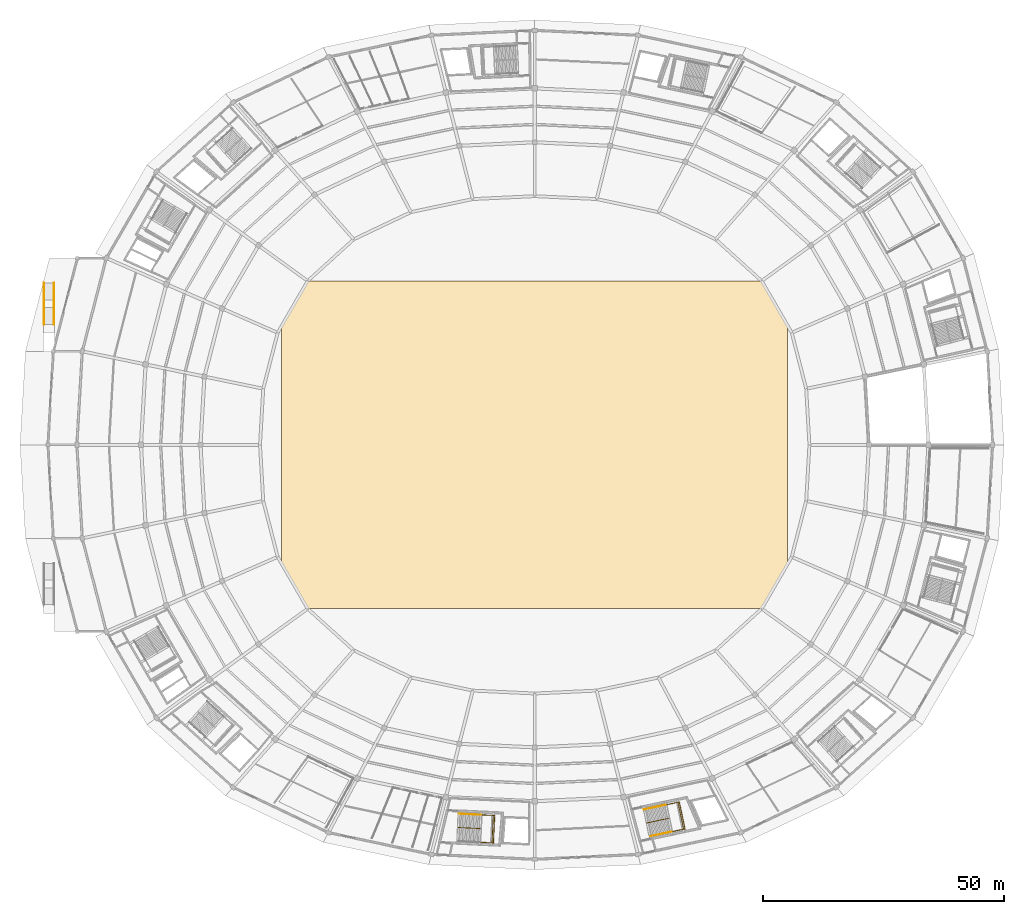
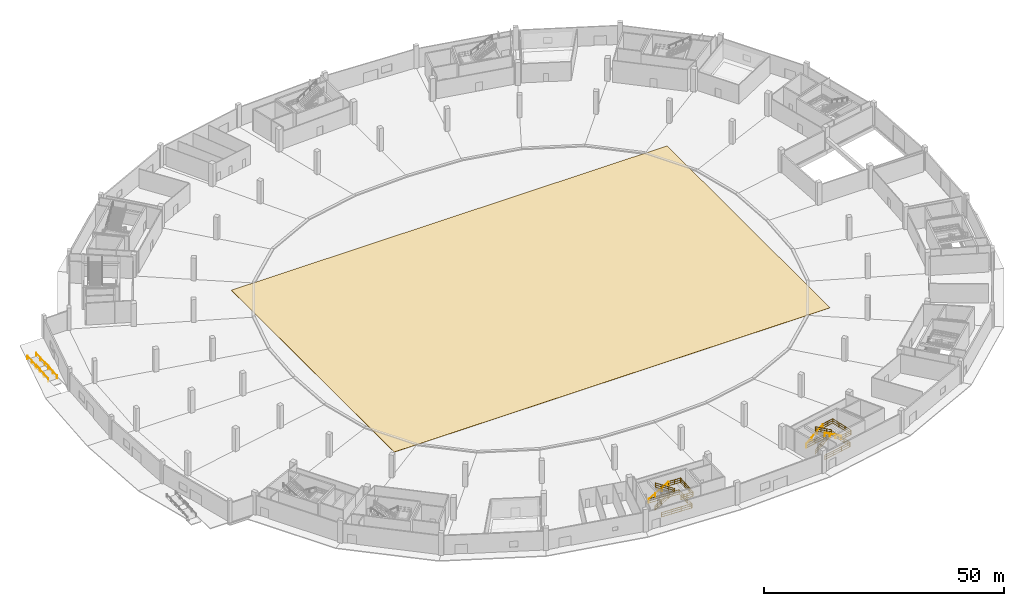
# One storey, part 44 of 48: 11 railings, 1 covering.
"""IFC4 building model written with IfcOpenShell, lengths in metres."""

from ifc_helpers import new_model, si_unit, direction, frame, origin, origin_2d, place, context, subcontext, project, spatial, polyline, rectangle, outline, extrude, material, layer, layer_set, type_object, element, save


model = new_model("IFC4")

# Units and contexts
model_context = context("Model", 3, precision=1e-05, world=origin(), true_north=direction((0.0, 1.0)))
body_context = subcontext(model_context, "Body", "Model", "MODEL_VIEW")
ifc_project = project(units=[si_unit("LENGTHUNIT", "METRE"), si_unit("AREAUNIT", "SQUARE_METRE"), si_unit("VOLUMEUNIT", "CUBIC_METRE"), si_unit("PLANEANGLEUNIT", "RADIAN"), si_unit("MASSUNIT", "GRAM", prefix="KILO")], contexts=[model_context])

# Site, building, storey
site_placement = place(None, origin())
site = spatial("IfcSite", under=ifc_project, at=site_placement, CompositionType="ELEMENT")
building_placement = place(site_placement, origin())
building = spatial("IfcBuilding", under=site, at=building_placement, Name="Kazemori Nagisa Stadium", CompositionType="ELEMENT")
storey_placement = place(building_placement, origin())
storey = spatial("IfcBuildingStorey", under=building, at=storey_placement, Name="L00", CompositionType="ELEMENT", Elevation=0.0)

# Covering
ifc_material_1 = material(Name="Natural hybrid turf", Category="turf")
ifc_layer = layer(ifc_material_1, 0.06005859375, Name="Natural hybrid turf", Category="turf")
ifc_layer_set = layer_set([ifc_layer], Name="Natural hybrid turf")
covering_type = type_object("IfcCoveringType", Name="Covering_TURF", PredefinedType="FLOORING", material=ifc_layer_set)
covering_placement = place(storey_placement, origin())
element("IfcCovering", 1, at=covering_placement, inside=storey, type_object=covering_type, Name="Hybrid turf football pitch surface", PredefinedType="FLOORING", context=body_context, shape_type="SweptSolid", body=[
    extrude(outline(polyline([(70.5, 68.0), (175.5, 68.0), (175.5, 136.0), (70.5, 136.0), (70.5, 68.0)])), origin(), (0.0, 0.0, 1.0), 0.06005859375),
])

# Railings
ifc_material_2 = material(Name="Galvanised powder-coated steel", Category="steel")
railing_type_1 = type_object("IfcRailingType", Name="Rail_GUARD", PredefinedType="GUARDRAIL", material=ifc_material_2)
railing_1_placement = place(storey_placement, frame((107.32470703125, 25.434814453125, 0.0)))
element("IfcRailing", 2, at=railing_1_placement, inside=storey, type_object=railing_type_1, Name="Stair well perimeter guard ST12-L00", PredefinedType="GUARDRAIL", context=body_context, shape_type="SweptSolid", body=[
    extrude(rectangle(XDim=0.050048828125, YDim=0.050048828125, at=origin_2d()), frame((0.0, 0.0, 1.09521484375), z_axis=(0.998884968272, -0.04721038191, 0.0), x_axis=(0.04721038191, 0.998884968272, 0.0)), (0.0, 0.0, 1.0), 7.094970703125),
    extrude(rectangle(XDim=0.03759765625, YDim=0.03759765625, at=origin_2d()), frame((0.0, 0.0, 0.58251953125), z_axis=(0.998884968272, -0.04721038191, 0.0), x_axis=(0.04721038191, 0.998884968272, 0.0)), (0.0, 0.0, 1.0), 7.094970703125),
    extrude(rectangle(XDim=0.03759765625, YDim=0.03759765625, at=origin_2d()), frame((0.0, 0.0, 0.02490234375), z_axis=(0.998884968272, -0.04721038191, 0.0), x_axis=(0.04721038191, 0.998884968272, 0.0)), (0.0, 0.0, 1.0), 7.094970703125),
    extrude(rectangle(XDim=0.050048828125, YDim=0.050048828125, at=origin_2d()), frame((7.087158203125, -0.3349609375, 1.09521484375), z_axis=(-0.047243616775, -0.998883396936, 0.0), x_axis=(0.998883396936, -0.047243616775, 0.0)), (0.0, 0.0, 1.0), 5.699951171875),
    extrude(rectangle(XDim=0.03759765625, YDim=0.03759765625, at=origin_2d()), frame((7.087158203125, -0.3349609375, 0.58251953125), z_axis=(-0.047243616775, -0.998883396936, 0.0), x_axis=(0.998883396936, -0.047243616775, 0.0)), (0.0, 0.0, 1.0), 5.699951171875),
    extrude(rectangle(XDim=0.03759765625, YDim=0.03759765625, at=origin_2d()), frame((7.087158203125, -0.3349609375, 0.02490234375), z_axis=(-0.047243616775, -0.998883396936, 0.0), x_axis=(0.998883396936, -0.047243616775, 0.0)), (0.0, 0.0, 1.0), 5.699951171875),
    extrude(rectangle(XDim=0.050048828125, YDim=0.050048828125, at=origin_2d()), frame((6.81787109375, -6.028564453125, 1.09521484375), z_axis=(-0.998884891575, 0.047212004659, 0.0), x_axis=(-0.047212004659, -0.998884891575, 0.0)), (0.0, 0.0, 1.0), 7.0947265625),
    extrude(rectangle(XDim=0.03759765625, YDim=0.03759765625, at=origin_2d()), frame((6.81787109375, -6.028564453125, 0.58251953125), z_axis=(-0.998884891575, 0.047212004659, 0.0), x_axis=(-0.047212004659, -0.998884891575, 0.0)), (0.0, 0.0, 1.0), 7.0947265625),
    extrude(rectangle(XDim=0.03759765625, YDim=0.03759765625, at=origin_2d()), frame((6.81787109375, -6.028564453125, 0.02490234375), z_axis=(-0.998884891575, 0.047212004659, 0.0), x_axis=(-0.047212004659, -0.998884891575, 0.0)), (0.0, 0.0, 1.0), 7.0947265625),
    extrude(rectangle(XDim=0.044921875, YDim=0.044921875, at=origin_2d()), origin(), (0.0, 0.0, 1.0), 1.070068359375),
    extrude(rectangle(XDim=0.044921875, YDim=0.044921875, at=origin_2d()), frame((2.3623046875, -0.111572265625, 0.0)), (0.0, 0.0, 1.0), 1.070068359375),
    extrude(rectangle(XDim=0.044921875, YDim=0.044921875, at=origin_2d()), frame((4.724853515625, -0.223388671875, 0.0)), (0.0, 0.0, 1.0), 1.070068359375),
    extrude(rectangle(XDim=0.044921875, YDim=0.044921875, at=origin_2d()), frame((7.087158203125, -0.3349609375, 0.0)), (0.0, 0.0, 1.0), 1.070068359375),
    extrude(rectangle(XDim=0.044921875, YDim=0.044921875, at=origin_2d()), frame((6.997314453125, -2.23291015625, 0.0)), (0.0, 0.0, 1.0), 1.070068359375),
    extrude(rectangle(XDim=0.044921875, YDim=0.044921875, at=origin_2d()), frame((6.90771484375, -4.130615234375, 0.0)), (0.0, 0.0, 1.0), 1.070068359375),
    extrude(rectangle(XDim=0.044921875, YDim=0.044921875, at=origin_2d()), frame((6.81787109375, -6.028564453125, 0.0)), (0.0, 0.0, 1.0), 1.070068359375),
    extrude(rectangle(XDim=0.044921875, YDim=0.044921875, at=origin_2d()), frame((4.45556640625, -5.9169921875, 0.0)), (0.0, 0.0, 1.0), 1.070068359375),
    extrude(rectangle(XDim=0.044921875, YDim=0.044921875, at=origin_2d()), frame((2.09326171875, -5.80517578125, 0.0)), (0.0, 0.0, 1.0), 1.070068359375),
    extrude(rectangle(XDim=0.044921875, YDim=0.044921875, at=origin_2d()), frame((-0.26904296875, -5.693603515625, 0.0)), (0.0, 0.0, 1.0), 1.070068359375),
])
railing_2_placement = place(storey_placement, frame((107.1103515625, 22.591796875, 0.0)))
element("IfcRailing", 3, at=railing_2_placement, inside=storey, type_object=railing_type_1, Name="Stair central guard ST12-L00", PredefinedType="GUARDRAIL", context=body_context, shape_type="SweptSolid", body=[
    extrude(rectangle(XDim=0.050048828125, YDim=0.050048828125, at=origin_2d()), frame((0.0, 0.0, 1.09521484375), z_axis=(0.846331615438, -0.040025862943, 0.531150380783), x_axis=(0.047240555602, 0.998883541714, 0.0)), (0.0, 0.0, 1.0), 5.44091796875),
    extrude(rectangle(XDim=0.03759765625, YDim=0.03759765625, at=origin_2d()), frame((0.0, 0.0, 0.58251953125), z_axis=(0.846331615438, -0.040025862943, 0.531150380783), x_axis=(0.047240555602, 0.998883541714, 0.0)), (0.0, 0.0, 1.0), 5.44091796875),
    extrude(rectangle(XDim=0.03759765625, YDim=0.03759765625, at=origin_2d()), frame((0.0, 0.0, 0.02490234375), z_axis=(0.846331615438, -0.040025862943, 0.531150380783), x_axis=(0.047240555602, 0.998883541714, 0.0)), (0.0, 0.0, 1.0), 5.44091796875),
    extrude(rectangle(XDim=0.050048828125, YDim=0.050048828125, at=origin_2d()), frame((4.604736328125, -0.2177734375, 3.98486328125), z_axis=(-0.842092272294, 0.039846494162, 0.537859518691), x_axis=(-0.047265556753, -0.998882359012, 0.0)), (0.0, 0.0, 1.0), 5.373291015625),
    extrude(rectangle(XDim=0.03759765625, YDim=0.03759765625, at=origin_2d()), frame((4.604736328125, -0.2177734375, 3.472412109375), z_axis=(-0.842092272294, 0.039846494162, 0.537859518691), x_axis=(-0.047265556753, -0.998882359012, 0.0)), (0.0, 0.0, 1.0), 5.373291015625),
    extrude(rectangle(XDim=0.03759765625, YDim=0.03759765625, at=origin_2d()), frame((4.604736328125, -0.2177734375, 2.9150390625), z_axis=(-0.842092272294, 0.039846494162, 0.537859518691), x_axis=(-0.047265556753, -0.998882359012, 0.0)), (0.0, 0.0, 1.0), 5.373291015625),
    extrude(rectangle(XDim=0.044921875, YDim=0.044921875, at=origin_2d()), origin(), (0.0, 0.0, 1.0), 1.070068359375),
    extrude(rectangle(XDim=0.044921875, YDim=0.044921875, at=origin_2d()), frame((1.534912109375, -0.072509765625, 0.96337890625)), (0.0, 0.0, 1.0), 1.070068359375),
    extrude(rectangle(XDim=0.044921875, YDim=0.044921875, at=origin_2d()), frame((3.06982421875, -0.145263671875, 1.926513671875)), (0.0, 0.0, 1.0), 1.070068359375),
    extrude(rectangle(XDim=0.044921875, YDim=0.044921875, at=origin_2d()), frame((4.604736328125, -0.2177734375, 2.889892578125)), (0.0, 0.0, 1.0), 1.070068359375),
    extrude(rectangle(XDim=0.044921875, YDim=0.044921875, at=origin_2d()), frame((3.096435546875, -0.146484375, 3.853271484375)), (0.0, 0.0, 1.0), 1.070068359375),
    extrude(rectangle(XDim=0.044921875, YDim=0.044921875, at=origin_2d()), frame((1.588134765625, -0.074951171875, 4.816650390625)), (0.0, 0.0, 1.0), 1.070068359375),
    extrude(rectangle(XDim=0.044921875, YDim=0.044921875, at=origin_2d()), frame((0.079833984375, -0.003662109375, 5.780029296875)), (0.0, 0.0, 1.0), 1.070068359375),
])
railing_3_placement = place(storey_placement, frame((111.849609375, 25.220947265625, 2.889892578125)))
element("IfcRailing", 4, at=railing_3_placement, inside=storey, type_object=railing_type_1, Name="Stair landing guard ST12-L00", PredefinedType="GUARDRAIL", context=body_context, shape_type="SweptSolid", body=[
    extrude(rectangle(XDim=0.050048828125, YDim=0.050048828125, at=origin_2d()), frame((0.0, 0.0, 1.09521484375), z_axis=(0.998885512722, -0.047198860948, 0.0), x_axis=(0.047198860948, 0.998885512722, 0.0)), (0.0, 0.0, 1.0), 2.85009765625),
    extrude(rectangle(XDim=0.03759765625, YDim=0.03759765625, at=origin_2d()), frame((0.0, 0.0, 0.58251953125), z_axis=(0.998885512722, -0.047198860948, 0.0), x_axis=(0.047198860948, 0.998885512722, 0.0)), (0.0, 0.0, 1.0), 2.85009765625),
    extrude(rectangle(XDim=0.03759765625, YDim=0.03759765625, at=origin_2d()), frame((0.0, 0.0, 0.02490234375), z_axis=(0.998885512722, -0.047198860948, 0.0), x_axis=(0.047198860948, 0.998885512722, 0.0)), (0.0, 0.0, 1.0), 2.85009765625),
    extrude(rectangle(XDim=0.050048828125, YDim=0.050048828125, at=origin_2d()), frame((2.846923828125, -0.134521484375, 1.09521484375), z_axis=(-0.047241595586, -0.998883492529, 0.0), x_axis=(0.998883492529, -0.047241595586, 0.0)), (0.0, 0.0, 1.0), 5.7001953125),
    extrude(rectangle(XDim=0.03759765625, YDim=0.03759765625, at=origin_2d()), frame((2.846923828125, -0.134521484375, 0.58251953125), z_axis=(-0.047241595586, -0.998883492529, 0.0), x_axis=(0.998883492529, -0.047241595586, 0.0)), (0.0, 0.0, 1.0), 5.7001953125),
    extrude(rectangle(XDim=0.03759765625, YDim=0.03759765625, at=origin_2d()), frame((2.846923828125, -0.134521484375, 0.02490234375), z_axis=(-0.047241595586, -0.998883492529, 0.0), x_axis=(0.998883492529, -0.047241595586, 0.0)), (0.0, 0.0, 1.0), 5.7001953125),
    extrude(rectangle(XDim=0.050048828125, YDim=0.050048828125, at=origin_2d()), frame((2.57763671875, -5.828369140625, 1.09521484375), z_axis=(-0.998881278972, 0.047288376157, 0.0), x_axis=(-0.047288376157, -0.998881278972, 0.0)), (0.0, 0.0, 1.0), 2.849853515625),
    extrude(rectangle(XDim=0.03759765625, YDim=0.03759765625, at=origin_2d()), frame((2.57763671875, -5.828369140625, 0.58251953125), z_axis=(-0.998881278972, 0.047288376157, 0.0), x_axis=(-0.047288376157, -0.998881278972, 0.0)), (0.0, 0.0, 1.0), 2.849853515625),
    extrude(rectangle(XDim=0.03759765625, YDim=0.03759765625, at=origin_2d()), frame((2.57763671875, -5.828369140625, 0.02490234375), z_axis=(-0.998881278972, 0.047288376157, 0.0), x_axis=(-0.047288376157, -0.998881278972, 0.0)), (0.0, 0.0, 1.0), 2.849853515625),
    extrude(rectangle(XDim=0.044921875, YDim=0.044921875, at=origin_2d()), origin(), (0.0, 0.0, 1.0), 1.070068359375),
    extrude(rectangle(XDim=0.044921875, YDim=0.044921875, at=origin_2d()), frame((1.42333984375, -0.0673828125, 0.0)), (0.0, 0.0, 1.0), 1.070068359375),
    extrude(rectangle(XDim=0.044921875, YDim=0.044921875, at=origin_2d()), frame((2.846923828125, -0.134521484375, 0.0)), (0.0, 0.0, 1.0), 1.070068359375),
    extrude(rectangle(XDim=0.044921875, YDim=0.044921875, at=origin_2d()), frame((2.757080078125, -2.032470703125, 0.0)), (0.0, 0.0, 1.0), 1.070068359375),
    extrude(rectangle(XDim=0.044921875, YDim=0.044921875, at=origin_2d()), frame((2.66748046875, -3.930419921875, 0.0)), (0.0, 0.0, 1.0), 1.070068359375),
    extrude(rectangle(XDim=0.044921875, YDim=0.044921875, at=origin_2d()), frame((2.57763671875, -5.828369140625, 0.0)), (0.0, 0.0, 1.0), 1.070068359375),
    extrude(rectangle(XDim=0.044921875, YDim=0.044921875, at=origin_2d()), frame((1.154296875, -5.760986328125, 0.0)), (0.0, 0.0, 1.0), 1.070068359375),
    extrude(rectangle(XDim=0.044921875, YDim=0.044921875, at=origin_2d()), frame((-0.26904296875, -5.693603515625, 0.0)), (0.0, 0.0, 1.0), 1.070068359375),
])
railing_4_placement = place(storey_placement, frame((145.77685546875, 26.353271484375, 0.0)))
element("IfcRailing", 5, at=railing_4_placement, inside=storey, type_object=railing_type_1, Name="Stair well perimeter guard ST06-L00", PredefinedType="GUARDRAIL", context=body_context, shape_type="SweptSolid", body=[
    extrude(rectangle(XDim=0.050048828125, YDim=0.050048828125, at=origin_2d()), frame((0.0, 0.0, 1.09521484375), z_axis=(0.978345951351, 0.206976325879, 0.0), x_axis=(-0.206976325879, 0.978345951351, 0.0)), (0.0, 0.0, 1.0), 7.094970703125),
    extrude(rectangle(XDim=0.03759765625, YDim=0.03759765625, at=origin_2d()), frame((0.0, 0.0, 0.58251953125), z_axis=(0.978345951351, 0.206976325879, 0.0), x_axis=(-0.206976325879, 0.978345951351, 0.0)), (0.0, 0.0, 1.0), 7.094970703125),
    extrude(rectangle(XDim=0.03759765625, YDim=0.03759765625, at=origin_2d()), frame((0.0, 0.0, 0.02490234375), z_axis=(0.978345951351, 0.206976325879, 0.0), x_axis=(-0.206976325879, 0.978345951351, 0.0)), (0.0, 0.0, 1.0), 7.094970703125),
    extrude(rectangle(XDim=0.050048828125, YDim=0.050048828125, at=origin_2d()), frame((6.94140625, 1.468505859375, 1.09521484375), z_axis=(0.206960167837, -0.978349369565, 0.0), x_axis=(0.978349369565, 0.206960167837, 0.0)), (0.0, 0.0, 1.0), 5.699951171875),
    extrude(rectangle(XDim=0.03759765625, YDim=0.03759765625, at=origin_2d()), frame((6.94140625, 1.468505859375, 0.58251953125), z_axis=(0.206960167837, -0.978349369565, 0.0), x_axis=(0.978349369565, 0.206960167837, 0.0)), (0.0, 0.0, 1.0), 5.699951171875),
    extrude(rectangle(XDim=0.03759765625, YDim=0.03759765625, at=origin_2d()), frame((6.94140625, 1.468505859375, 0.02490234375), z_axis=(0.206960167837, -0.978349369565, 0.0), x_axis=(0.978349369565, 0.206960167837, 0.0)), (0.0, 0.0, 1.0), 5.699951171875),
    extrude(rectangle(XDim=0.050048828125, YDim=0.050048828125, at=origin_2d()), frame((8.12109375, -4.108154296875, 1.09521484375), z_axis=(-0.978344477179, -0.206983293948, 0.0), x_axis=(0.206983293948, -0.978344477179, 0.0)), (0.0, 0.0, 1.0), 7.0947265625),
    extrude(rectangle(XDim=0.03759765625, YDim=0.03759765625, at=origin_2d()), frame((8.12109375, -4.108154296875, 0.58251953125), z_axis=(-0.978344477179, -0.206983293948, 0.0), x_axis=(0.206983293948, -0.978344477179, 0.0)), (0.0, 0.0, 1.0), 7.0947265625),
    extrude(rectangle(XDim=0.03759765625, YDim=0.03759765625, at=origin_2d()), frame((8.12109375, -4.108154296875, 0.02490234375), z_axis=(-0.978344477179, -0.206983293948, 0.0), x_axis=(0.206983293948, -0.978344477179, 0.0)), (0.0, 0.0, 1.0), 7.0947265625),
    extrude(rectangle(XDim=0.044921875, YDim=0.044921875, at=origin_2d()), origin(), (0.0, 0.0, 1.0), 1.070068359375),
    extrude(rectangle(XDim=0.044921875, YDim=0.044921875, at=origin_2d()), frame((2.313720703125, 0.489501953125, 0.0)), (0.0, 0.0, 1.0), 1.070068359375),
    extrude(rectangle(XDim=0.044921875, YDim=0.044921875, at=origin_2d()), frame((4.627685546875, 0.97900390625, 0.0)), (0.0, 0.0, 1.0), 1.070068359375),
    extrude(rectangle(XDim=0.044921875, YDim=0.044921875, at=origin_2d()), frame((6.94140625, 1.468505859375, 0.0)), (0.0, 0.0, 1.0), 1.070068359375),
    extrude(rectangle(XDim=0.044921875, YDim=0.044921875, at=origin_2d()), frame((7.334716796875, -0.390380859375, 0.0)), (0.0, 0.0, 1.0), 1.070068359375),
    extrude(rectangle(XDim=0.044921875, YDim=0.044921875, at=origin_2d()), frame((7.727783203125, -2.249267578125, 0.0)), (0.0, 0.0, 1.0), 1.070068359375),
    extrude(rectangle(XDim=0.044921875, YDim=0.044921875, at=origin_2d()), frame((8.12109375, -4.108154296875, 0.0)), (0.0, 0.0, 1.0), 1.070068359375),
    extrude(rectangle(XDim=0.044921875, YDim=0.044921875, at=origin_2d()), frame((5.807373046875, -4.59765625, 0.0)), (0.0, 0.0, 1.0), 1.070068359375),
    extrude(rectangle(XDim=0.044921875, YDim=0.044921875, at=origin_2d()), frame((3.49365234375, -5.087158203125, 0.0)), (0.0, 0.0, 1.0), 1.070068359375),
    extrude(rectangle(XDim=0.044921875, YDim=0.044921875, at=origin_2d()), frame((1.179931640625, -5.57666015625, 0.0)), (0.0, 0.0, 1.0), 1.070068359375),
])
railing_5_placement = place(storey_placement, frame((146.28857421875, 23.54833984375, 0.0)))
element("IfcRailing", 6, at=railing_5_placement, inside=storey, type_object=railing_type_1, Name="Stair central guard ST06-L00", PredefinedType="GUARDRAIL", context=body_context, shape_type="SweptSolid", body=[
    extrude(rectangle(XDim=0.050048828125, YDim=0.050048828125, at=origin_2d()), frame((0.0, 0.0, 1.09521484375), z_axis=(0.828928599666, 0.175361498809, 0.531155082242), x_axis=(-0.206971264153, 0.978347022183, 0.0)), (0.0, 0.0, 1.0), 5.440673828125),
    extrude(rectangle(XDim=0.03759765625, YDim=0.03759765625, at=origin_2d()), frame((0.0, 0.0, 0.58251953125), z_axis=(0.828928599666, 0.175361498809, 0.531155082242), x_axis=(-0.206971264153, 0.978347022183, 0.0)), (0.0, 0.0, 1.0), 5.440673828125),
    extrude(rectangle(XDim=0.03759765625, YDim=0.03759765625, at=origin_2d()), frame((0.0, 0.0, 0.02490234375), z_axis=(0.828928599666, 0.175361498809, 0.531155082242), x_axis=(-0.206971264153, 0.978347022183, 0.0)), (0.0, 0.0, 1.0), 5.440673828125),
    extrude(rectangle(XDim=0.050048828125, YDim=0.050048828125, at=origin_2d()), frame((4.510009765625, 0.9541015625, 3.98486328125), z_axis=(-0.824782623937, -0.174470626118, 0.537860227079), x_axis=(0.206955614912, -0.978350332681, 0.0)), (0.0, 0.0, 1.0), 5.373291015625),
    extrude(rectangle(XDim=0.03759765625, YDim=0.03759765625, at=origin_2d()), frame((4.510009765625, 0.9541015625, 3.472412109375), z_axis=(-0.824782623937, -0.174470626118, 0.537860227079), x_axis=(0.206955614912, -0.978350332681, 0.0)), (0.0, 0.0, 1.0), 5.373291015625),
    extrude(rectangle(XDim=0.03759765625, YDim=0.03759765625, at=origin_2d()), frame((4.510009765625, 0.9541015625, 2.9150390625), z_axis=(-0.824782623937, -0.174470626118, 0.537860227079), x_axis=(0.206955614912, -0.978350332681, 0.0)), (0.0, 0.0, 1.0), 5.373291015625),
    extrude(rectangle(XDim=0.044921875, YDim=0.044921875, at=origin_2d()), origin(), (0.0, 0.0, 1.0), 1.070068359375),
    extrude(rectangle(XDim=0.044921875, YDim=0.044921875, at=origin_2d()), frame((1.50341796875, 0.318115234375, 0.96337890625)), (0.0, 0.0, 1.0), 1.070068359375),
    extrude(rectangle(XDim=0.044921875, YDim=0.044921875, at=origin_2d()), frame((3.006591796875, 0.635986328125, 1.926513671875)), (0.0, 0.0, 1.0), 1.070068359375),
    extrude(rectangle(XDim=0.044921875, YDim=0.044921875, at=origin_2d()), frame((4.510009765625, 0.9541015625, 2.889892578125)), (0.0, 0.0, 1.0), 1.070068359375),
    extrude(rectangle(XDim=0.044921875, YDim=0.044921875, at=origin_2d()), frame((3.03271484375, 0.6416015625, 3.853271484375)), (0.0, 0.0, 1.0), 1.070068359375),
    extrude(rectangle(XDim=0.044921875, YDim=0.044921875, at=origin_2d()), frame((1.555419921875, 0.3291015625, 4.816650390625)), (0.0, 0.0, 1.0), 1.070068359375),
    extrude(rectangle(XDim=0.044921875, YDim=0.044921875, at=origin_2d()), frame((0.078125, 0.0166015625, 5.780029296875)), (0.0, 0.0, 1.0), 1.070068359375),
])
railing_6_placement = place(storey_placement, frame((150.208740234375, 27.290771484375, 2.889892578125)))
element("IfcRailing", 7, at=railing_6_placement, inside=storey, type_object=railing_type_1, Name="Stair landing guard ST06-L00", PredefinedType="GUARDRAIL", context=body_context, shape_type="SweptSolid", body=[
    extrude(rectangle(XDim=0.050048828125, YDim=0.050048828125, at=origin_2d()), frame((0.0, 0.0, 1.09521484375), z_axis=(0.978349369565, 0.206960167837, 0.0), x_axis=(-0.206960167837, 0.978349369565, 0.0)), (0.0, 0.0, 1.0), 2.85009765625),
    extrude(rectangle(XDim=0.03759765625, YDim=0.03759765625, at=origin_2d()), frame((0.0, 0.0, 0.58251953125), z_axis=(0.978349369565, 0.206960167837, 0.0), x_axis=(-0.206960167837, 0.978349369565, 0.0)), (0.0, 0.0, 1.0), 2.85009765625),
    extrude(rectangle(XDim=0.03759765625, YDim=0.03759765625, at=origin_2d()), frame((0.0, 0.0, 0.02490234375), z_axis=(0.978349369565, 0.206960167837, 0.0), x_axis=(-0.206960167837, 0.978349369565, 0.0)), (0.0, 0.0, 1.0), 2.85009765625),
    extrude(rectangle(XDim=0.050048828125, YDim=0.050048828125, at=origin_2d()), frame((2.788330078125, 0.58984375, 1.09521484375), z_axis=(0.207009838232, -0.978338860966, 0.0), x_axis=(0.978338860966, 0.207009838232, 0.0)), (0.0, 0.0, 1.0), 5.699951171875),
    extrude(rectangle(XDim=0.03759765625, YDim=0.03759765625, at=origin_2d()), frame((2.788330078125, 0.58984375, 0.58251953125), z_axis=(0.207009838232, -0.978338860966, 0.0), x_axis=(0.978338860966, 0.207009838232, 0.0)), (0.0, 0.0, 1.0), 5.699951171875),
    extrude(rectangle(XDim=0.03759765625, YDim=0.03759765625, at=origin_2d()), frame((2.788330078125, 0.58984375, 0.02490234375), z_axis=(0.207009838232, -0.978338860966, 0.0), x_axis=(0.978338860966, 0.207009838232, 0.0)), (0.0, 0.0, 1.0), 5.699951171875),
    extrude(rectangle(XDim=0.050048828125, YDim=0.050048828125, at=origin_2d()), frame((3.96826171875, -4.986572265625, 1.09521484375), z_axis=(-0.978332021586, -0.207042158845, 0.0), x_axis=(0.207042158845, -0.978332021586, 0.0)), (0.0, 0.0, 1.0), 2.85009765625),
    extrude(rectangle(XDim=0.03759765625, YDim=0.03759765625, at=origin_2d()), frame((3.96826171875, -4.986572265625, 0.58251953125), z_axis=(-0.978332021586, -0.207042158845, 0.0), x_axis=(0.207042158845, -0.978332021586, 0.0)), (0.0, 0.0, 1.0), 2.85009765625),
    extrude(rectangle(XDim=0.03759765625, YDim=0.03759765625, at=origin_2d()), frame((3.96826171875, -4.986572265625, 0.02490234375), z_axis=(-0.978332021586, -0.207042158845, 0.0), x_axis=(0.207042158845, -0.978332021586, 0.0)), (0.0, 0.0, 1.0), 2.85009765625),
    extrude(rectangle(XDim=0.044921875, YDim=0.044921875, at=origin_2d()), origin(), (0.0, 0.0, 1.0), 1.070068359375),
    extrude(rectangle(XDim=0.044921875, YDim=0.044921875, at=origin_2d()), frame((1.39404296875, 0.294921875, 0.0)), (0.0, 0.0, 1.0), 1.070068359375),
    extrude(rectangle(XDim=0.044921875, YDim=0.044921875, at=origin_2d()), frame((2.788330078125, 0.58984375, 0.0)), (0.0, 0.0, 1.0), 1.070068359375),
    extrude(rectangle(XDim=0.044921875, YDim=0.044921875, at=origin_2d()), frame((3.181640625, -1.26904296875, 0.0)), (0.0, 0.0, 1.0), 1.070068359375),
    extrude(rectangle(XDim=0.044921875, YDim=0.044921875, at=origin_2d()), frame((3.574951171875, -3.127685546875, 0.0)), (0.0, 0.0, 1.0), 1.070068359375),
    extrude(rectangle(XDim=0.044921875, YDim=0.044921875, at=origin_2d()), frame((3.96826171875, -4.986572265625, 0.0)), (0.0, 0.0, 1.0), 1.070068359375),
    extrude(rectangle(XDim=0.044921875, YDim=0.044921875, at=origin_2d()), frame((2.57421875, -5.28173828125, 0.0)), (0.0, 0.0, 1.0), 1.070068359375),
    extrude(rectangle(XDim=0.044921875, YDim=0.044921875, at=origin_2d()), frame((1.179931640625, -5.57666015625, 0.0)), (0.0, 0.0, 1.0), 1.070068359375),
])
ifc_material_3 = material(Name="Stainless steel SUS304", Category="steel")
railing_type_2 = type_object("IfcRailingType", Name="Rail_HAND", PredefinedType="HANDRAIL", material=ifc_material_3)
railing_7_placement = place(storey_placement, frame((107.244873046875, 25.438720703125, 0.169921875)))
element("IfcRailing", 8, at=railing_7_placement, inside=storey, type_object=railing_type_2, Name="Stair handrail ST12-L00-F1", PredefinedType="HANDRAIL", context=body_context, shape_type="SweptSolid", body=[
    extrude(rectangle(XDim=0.050048828125, YDim=0.050048828125, at=origin_2d()), frame((0.0, 0.0, 0.875), z_axis=(0.846311444006, -0.040024908968, 0.531182592341), x_axis=(0.047240555602, 0.998883541714, 0.0)), (0.0, 0.0, 1.0), 5.44091796875),
    extrude(rectangle(XDim=0.044921875, YDim=0.044921875, at=origin_2d()), origin(), (0.0, 0.0, 1.0), 0.849853515625),
    extrude(rectangle(XDim=0.044921875, YDim=0.044921875, at=origin_2d()), frame((1.534912109375, -0.072509765625, 0.96337890625)), (0.0, 0.0, 1.0), 0.849853515625),
    extrude(rectangle(XDim=0.044921875, YDim=0.044921875, at=origin_2d()), frame((3.06982421875, -0.145263671875, 1.9267578125)), (0.0, 0.0, 1.0), 0.849853515625),
    extrude(rectangle(XDim=0.044921875, YDim=0.044921875, at=origin_2d()), frame((4.604736328125, -0.2177734375, 2.89013671875)), (0.0, 0.0, 1.0), 0.849853515625),
])
railing_8_placement = place(storey_placement, frame((145.69873046875, 26.336669921875, 0.169921875)))
element("IfcRailing", 9, at=railing_8_placement, inside=storey, type_object=railing_type_2, Name="Stair handrail ST06-L00-F1", PredefinedType="HANDRAIL", context=body_context, shape_type="SweptSolid", body=[
    extrude(rectangle(XDim=0.050048828125, YDim=0.050048828125, at=origin_2d()), frame((0.0, 0.0, 0.875), z_axis=(0.828908842667, 0.175357319176, 0.531187293861), x_axis=(-0.206971264153, 0.978347022183, 0.0)), (0.0, 0.0, 1.0), 5.44091796875),
    extrude(rectangle(XDim=0.044921875, YDim=0.044921875, at=origin_2d()), origin(), (0.0, 0.0, 1.0), 0.849853515625),
    extrude(rectangle(XDim=0.044921875, YDim=0.044921875, at=origin_2d()), frame((1.50341796875, 0.318115234375, 0.96337890625)), (0.0, 0.0, 1.0), 0.849853515625),
    extrude(rectangle(XDim=0.044921875, YDim=0.044921875, at=origin_2d()), frame((3.006591796875, 0.635986328125, 1.9267578125)), (0.0, 0.0, 1.0), 0.849853515625),
    extrude(rectangle(XDim=0.044921875, YDim=0.044921875, at=origin_2d()), frame((4.510009765625, 0.9541015625, 2.89013671875)), (0.0, 0.0, 1.0), 0.849853515625),
])
railing_9_placement = place(storey_placement, frame((151.388671875, 21.714111328125, 3.06005859375)))
element("IfcRailing", 10, at=railing_9_placement, inside=storey, type_object=railing_type_2, Name="Stair handrail ST06-L00-F2", PredefinedType="HANDRAIL", context=body_context, shape_type="SweptSolid", body=[
    extrude(rectangle(XDim=0.050048828125, YDim=0.050048828125, at=origin_2d()), frame((0.0, 0.0, 0.875), z_axis=(-0.824802779624, -0.174474889757, 0.537827934909), x_axis=(0.206955614912, -0.978350332681, 0.0)), (0.0, 0.0, 1.0), 5.373291015625),
    extrude(rectangle(XDim=0.044921875, YDim=0.044921875, at=origin_2d()), origin(), (0.0, 0.0, 1.0), 0.849853515625),
    extrude(rectangle(XDim=0.044921875, YDim=0.044921875, at=origin_2d()), frame((-1.477294921875, -0.3125, 0.96337890625)), (0.0, 0.0, 1.0), 0.849853515625),
    extrude(rectangle(XDim=0.044921875, YDim=0.044921875, at=origin_2d()), frame((-2.95458984375, -0.625, 1.926513671875)), (0.0, 0.0, 1.0), 0.849853515625),
    extrude(rectangle(XDim=0.044921875, YDim=0.044921875, at=origin_2d()), frame((-4.431884765625, -0.9375, 2.889892578125)), (0.0, 0.0, 1.0), 0.849853515625),
])
for number, where, name in (
    (11, (21.167236328125, 126.9736328125, -0.5), "Boulevard ramp handrail RP1-W"),
    (12, (23.26708984375, 126.9736328125, -0.5), "Boulevard ramp handrail RP1-E"),
):
    element("IfcRailing", number, at=place(storey_placement, frame(where)), inside=storey, type_object=railing_type_2, Name=name, PredefinedType="HANDRAIL", context=body_context, shape_type="SweptSolid", body=[
        extrude(rectangle(XDim=0.050048828125, YDim=0.050048828125, at=origin_2d()), frame((0.0, 0.0, 0.875), z_axis=(0.0, 0.997458699831, 0.071247049988), x_axis=(-1.0, 0.0, 0.0)), (0.0, 0.0, 1.0), 3.509033203125),
        extrude(rectangle(XDim=0.050048828125, YDim=0.050048828125, at=origin_2d()), frame((0.0, 3.5, 1.125), z_axis=(0.0, 1.0, 0.0), x_axis=(-1.0, 0.0, 0.0)), (0.0, 0.0, 1.0), 1.60009765625),
        extrude(rectangle(XDim=0.050048828125, YDim=0.050048828125, at=origin_2d()), frame((0.0, 5.10009765625, 1.125), z_axis=(0.0, 0.997458699831, 0.071247049988), x_axis=(-1.0, 0.0, 0.0)), (0.0, 0.0, 1.0), 3.509033203125),
        extrude(rectangle(XDim=0.044921875, YDim=0.044921875, at=origin_2d()), origin(), (0.0, 0.0, 1.0), 0.849853515625),
        extrude(rectangle(XDim=0.044921875, YDim=0.044921875, at=origin_2d()), frame((0.0, 1.75, 0.125)), (0.0, 0.0, 1.0), 0.849853515625),
        extrude(rectangle(XDim=0.044921875, YDim=0.044921875, at=origin_2d()), frame((0.0, 3.5, 0.25)), (0.0, 0.0, 1.0), 0.849853515625),
        extrude(rectangle(XDim=0.044921875, YDim=0.044921875, at=origin_2d()), frame((0.0, 5.10009765625, 0.25)), (0.0, 0.0, 1.0), 0.849853515625),
        extrude(rectangle(XDim=0.044921875, YDim=0.044921875, at=origin_2d()), frame((0.0, 6.85009765625, 0.375)), (0.0, 0.0, 1.0), 0.849853515625),
        extrude(rectangle(XDim=0.044921875, YDim=0.044921875, at=origin_2d()), frame((0.0, 8.60009765625, 0.5)), (0.0, 0.0, 1.0), 0.849853515625),
    ])

save(model, "model.ifc")
